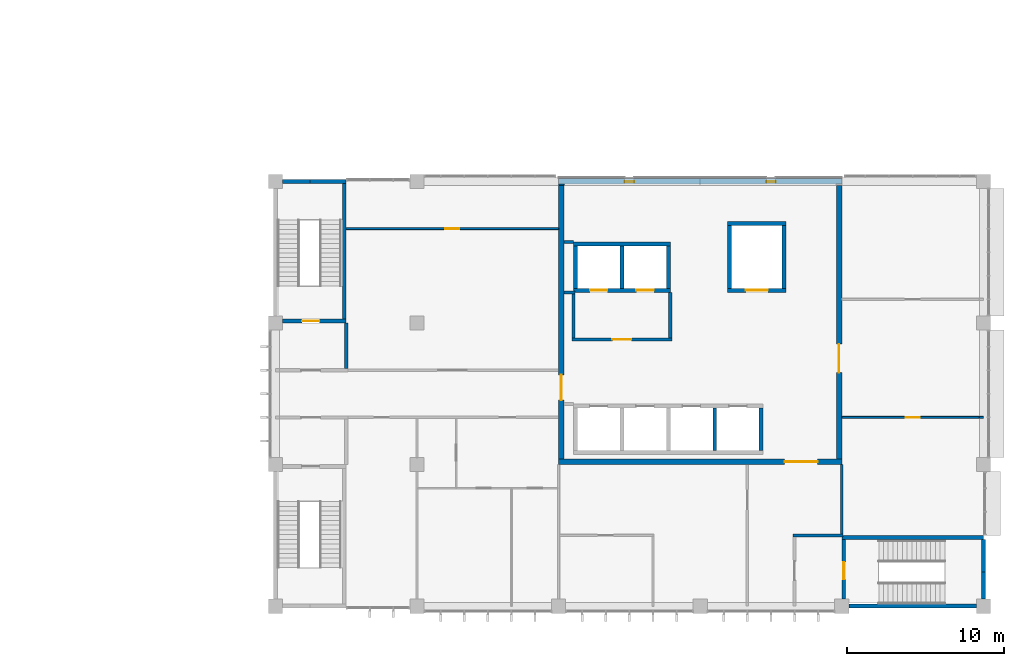
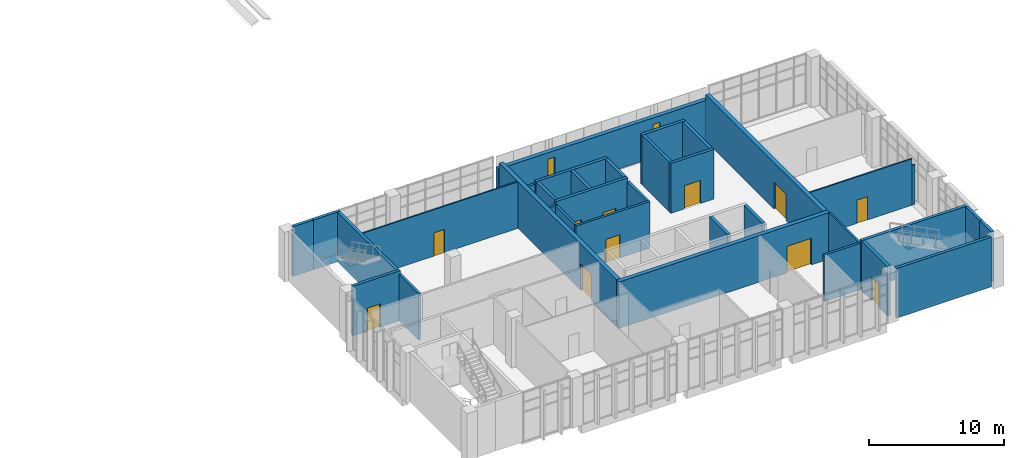
# One storey, part 59 of 79: 36 walls, 11 doors, 2 windows, 13 openings.
"""IFC4 building model written with IfcOpenShell, lengths in metres."""

from ifc_helpers import new_model, si_unit, direction, frame, frame_2d, origin, place, context, subcontext, project, spatial, rectangle, extrude, material, layer, layer_set, type_object, element, fill, save


model = new_model("IFC4")

# Units and contexts
model_context = context("Model", 3, precision=1e-05, world=origin(), true_north=direction((0.0, 1.0)))
body_context = subcontext(model_context, "Body", "Model", "MODEL_VIEW")
ifc_project = project(units=[si_unit("LENGTHUNIT", "METRE"), si_unit("AREAUNIT", "SQUARE_METRE"), si_unit("VOLUMEUNIT", "CUBIC_METRE"), si_unit("PLANEANGLEUNIT", "RADIAN"), si_unit("MASSUNIT", "GRAM", prefix="KILO")], contexts=[model_context])

# Site, building, storey
site_placement = place(None, origin())
site = spatial("IfcSite", under=ifc_project, at=site_placement, CompositionType="ELEMENT")
building_placement = place(site_placement, origin())
building = spatial("IfcBuilding", under=site, at=building_placement, Name="Guidao Yard Department Store", CompositionType="ELEMENT")
storey_placement = place(building_placement, frame((0.0, 0.0, 15.0)))
storey = spatial("IfcBuildingStorey", under=building, at=storey_placement, Name="L03", CompositionType="ELEMENT", Elevation=15.0)

# Wall
ifc_material_1 = material(Name="Gypsum Board")
ifc_layer_1 = layer(ifc_material_1, 0.14990234375)
ifc_layer_set_1 = layer_set([ifc_layer_1], Name="Corridor Partition 150 Gypsum Board EI 60")
wall_type_1 = type_object("IfcWallType", Name="Corridor Partition 150 Gypsum Board EI 60", PredefinedType="PARTITIONING", material=ifc_layer_set_1)
wall_1_placement = place(storey_placement, frame((162.0, 4.60009765625, 0.0), z_axis=(0.0, 0.0, 1.0), x_axis=(0.0, 1.0, 0.0)))
element("IfcWall", 1, at=wall_1_placement, inside=storey, type_object=wall_type_1, Name="pt.wall.L03.0030", PredefinedType="PARTITIONING", context=body_context, shape_type="SweptSolid", body=[
    extrude(rectangle(XDim=4.39990234375, YDim=0.14990234375, at=frame_2d((2.199951171875, 0.0))), origin(), (0.0, 0.0, 1.0), 4.199951171875),
])

# Wall, openings, windows
ifc_material_2 = material(Name="Concrete C40", Category="concrete")
ifc_layer_2 = layer(ifc_material_2, 0.35009765625)
ifc_layer_set_2 = layer_set([ifc_layer_2], Name="Office core face wall 350 C40")
wall_type_2 = type_object("IfcWallType", Name="Office core face wall 350 C40", PredefinedType="SOLIDWALL", material=ifc_layer_set_2)
wall_2_placement = place(storey_placement, frame((144.0, 27.0, 0.0), z_axis=(0.0, 0.0, 1.0), x_axis=(1.0, 0.0, 0.0)))
wall_2 = element("IfcWall", 2, at=wall_2_placement, inside=storey, type_object=wall_type_2, Name="Office north face wall", PredefinedType="SOLIDWALL", context=body_context, shape_type="SweptSolid", body=[
    extrude(rectangle(XDim=18.0, YDim=0.35009765625, at=frame_2d((9.0, 0.0))), origin(), (0.0, 0.0, 1.0), 3.60009765625),
])
opening_1_placement = place(wall_2_placement, frame((4.199951171875, 0.0, 0.60009765625)))
opening_1 = element("IfcOpeningElement", 3, at=opening_1_placement, cuts=wall_2, Name="Opening WN-L03-E27", PredefinedType="OPENING", context=body_context, shape_type="SweptSolid", body=[
    extrude(rectangle(XDim=0.60009765625, YDim=2.39990234375, at=frame_2d((0.300048828125, 1.199951171875))), frame((0.0, 0.18505859375, 0.0), z_axis=(0.0, -1.0, 0.0), x_axis=(1.0, 0.0, 0.0)), (0.0, 0.0, 1.0), 0.3701171875),
])
opening_2_placement = place(wall_2_placement, frame((13.199951171875, 0.0, 0.60009765625)))
opening_2 = element("IfcOpeningElement", 4, at=opening_2_placement, cuts=wall_2, Name="Opening WN-L03-E28", PredefinedType="OPENING", context=body_context, shape_type="SweptSolid", body=[
    extrude(rectangle(XDim=0.60009765625, YDim=2.39990234375, at=frame_2d((0.300048828125, 1.199951171875))), frame((0.0, 0.18505859375, 0.0), z_axis=(0.0, -1.0, 0.0), x_axis=(1.0, 0.0, 0.0)), (0.0, 0.0, 1.0), 0.3701171875),
])
ifc_material_3 = material(Name="Laminated glass in aluminium frame", Category="aluminium")
window_type = type_object("IfcWindowType", Name="Lobby window LW1 600 x 2400 fixed", PartitioningType="SINGLE_PANEL", PredefinedType="WINDOW", material=ifc_material_3)
window_1_placement = place(opening_1_placement, origin())
window_1 = element("IfcWindow", 5, at=window_1_placement, inside=storey, type_object=window_type, Name="Lift lobby window", OverallHeight=2.39990234375, OverallWidth=0.60009765625, PartitioningType="SINGLE_PANEL", PredefinedType="WINDOW", context=body_context, shape_type="SweptSolid", body=[
    extrude(rectangle(XDim=0.60009765625, YDim=2.39990234375, at=frame_2d((0.300048828125, 1.199951171875))), frame((0.0, -0.0048828125, 0.0), z_axis=(0.0, -1.0, 0.0), x_axis=(1.0, 0.0, 0.0)), (0.0, 0.0, 1.0), 0.06005859375),
])
fill(opening_1, window_1)
window_2_placement = place(opening_2_placement, origin())
window_2 = element("IfcWindow", 6, at=window_2_placement, inside=storey, type_object=window_type, Name="Lift lobby window", OverallHeight=2.39990234375, OverallWidth=0.60009765625, PartitioningType="SINGLE_PANEL", PredefinedType="WINDOW", context=body_context, shape_type="SweptSolid", body=[
    extrude(rectangle(XDim=0.60009765625, YDim=2.39990234375, at=frame_2d((0.300048828125, 1.199951171875))), frame((0.0, -0.0048828125, 0.0), z_axis=(0.0, -1.0, 0.0), x_axis=(1.0, 0.0, 0.0)), (0.0, 0.0, 1.0), 0.06005859375),
])
fill(opening_2, window_2)

# Wall, opening, door
ifc_material_4 = material(Name="Gypsum Board")
ifc_layer_3 = layer(ifc_material_4, 0.1201171875)
ifc_layer_set_3 = layer_set([ifc_layer_3], Name="Partition 120 Gypsum Board EI 45")
wall_type_3 = type_object("IfcWallType", Name="Partition 120 Gypsum Board EI 45", PredefinedType="PARTITIONING", material=ifc_layer_set_3)
wall_3_placement = place(storey_placement, frame((162.0, 12.0, 0.0), z_axis=(0.0, 0.0, 1.0), x_axis=(1.0, 0.0, 0.0)))
wall_3 = element("IfcWall", 7, at=wall_3_placement, inside=storey, type_object=wall_type_3, Name="pt.wall.L03.0007", PredefinedType="PARTITIONING", context=body_context, shape_type="SweptSolid", body=[
    extrude(rectangle(XDim=8.75, YDim=0.1201171875, at=frame_2d((4.375, 0.0))), origin(), (0.0, 0.0, 1.0), 4.199951171875),
])
opening_3_placement = place(wall_3_placement, frame((4.050048828125, 0.0, 0.0)))
opening_3 = element("IfcOpeningElement", 8, at=opening_3_placement, cuts=wall_3, Name="Opening L03-416", PredefinedType="OPENING", context=body_context, shape_type="SweptSolid", body=[
    extrude(rectangle(XDim=0.89990234375, YDim=2.10009765625, at=frame_2d((0.449951171875, 1.050048828125))), frame((0.0, 0.070068359375, 0.0), z_axis=(0.0, -1.0, 0.0), x_axis=(1.0, 0.0, 0.0)), (0.0, 0.0, 1.0), 0.14013671875),
])
ifc_material_5 = material(Name="Timber door leaf with Steel Q235 frame", Category="steel")
door_type_1 = type_object("IfcDoorType", Name="Door 900 x 2100 NOT RATED Single Leaf", OperationType="SINGLE_SWING_LEFT", PredefinedType="DOOR", material=ifc_material_5)
door_1_placement = place(opening_3_placement, origin())
door_1 = element("IfcDoor", 9, at=door_1_placement, inside=storey, type_object=door_type_1, Name="Door L03-416", OperationType="SINGLE_SWING_RIGHT", OverallHeight=2.10009765625, OverallWidth=0.89990234375, PredefinedType="DOOR", context=body_context, shape_type="SweptSolid", body=[
    extrude(rectangle(XDim=0.89990234375, YDim=2.10009765625, at=frame_2d((0.449951171875, 1.050048828125))), frame((0.0, 0.02490234375, 0.0), z_axis=(0.0, -1.0, 0.0), x_axis=(1.0, 0.0, 0.0)), (0.0, 0.0, 1.0), 0.050048828125),
])
fill(opening_3, door_1)

# Wall
wall_4_placement = place(storey_placement, frame((170.75, 12.0, 0.0), z_axis=(0.0, 0.0, 1.0), x_axis=(1.0, 0.0, 0.0)))
element("IfcWall", 10, at=wall_4_placement, inside=storey, type_object=wall_type_3, Name="pt.wall.L03.0007a", PredefinedType="PARTITIONING", context=body_context, shape_type="SweptSolid", body=[
    extrude(rectangle(XDim=0.25, YDim=0.1201171875, at=frame_2d((0.125, 0.0))), origin(), (0.0, 0.0, 1.0), 3.60009765625),
])

# Wall, opening, door
wall_5_placement = place(storey_placement, frame((130.5, 24.0, 0.0), z_axis=(0.0, 0.0, 1.0), x_axis=(1.0, 0.0, 0.0)))
wall_5 = element("IfcWall", 11, at=wall_5_placement, inside=storey, type_object=wall_type_3, Name="pt.wall.L03.0015", PredefinedType="PARTITIONING", context=body_context, shape_type="SweptSolid", body=[
    extrude(rectangle(XDim=13.5, YDim=0.1201171875, at=frame_2d((6.75, 0.0))), origin(), (0.0, 0.0, 1.0), 4.199951171875),
])
opening_4_placement = place(wall_5_placement, frame((6.300048828125, 0.0, 0.0)))
opening_4 = element("IfcOpeningElement", 12, at=opening_4_placement, cuts=wall_5, Name="Opening L03-413", PredefinedType="OPENING", context=body_context, shape_type="SweptSolid", body=[
    extrude(rectangle(XDim=0.89990234375, YDim=2.10009765625, at=frame_2d((0.449951171875, 1.050048828125))), frame((0.0, 0.070068359375, 0.0), z_axis=(0.0, -1.0, 0.0), x_axis=(1.0, 0.0, 0.0)), (0.0, 0.0, 1.0), 0.14013671875),
])
door_2_placement = place(opening_4_placement, origin())
door_2 = element("IfcDoor", 13, at=door_2_placement, inside=storey, type_object=door_type_1, Name="Door L03-413", OperationType="SINGLE_SWING_LEFT", OverallHeight=2.10009765625, OverallWidth=0.89990234375, PredefinedType="DOOR", context=body_context, shape_type="SweptSolid", body=[
    extrude(rectangle(XDim=0.89990234375, YDim=2.10009765625, at=frame_2d((0.449951171875, 1.050048828125))), frame((0.0, 0.02490234375, 0.0), z_axis=(0.0, -1.0, 0.0), x_axis=(1.0, 0.0, 0.0)), (0.0, 0.0, 1.0), 0.050048828125),
])
fill(opening_4, door_2)

# Wall
ifc_material_6 = material(Name="Autoclaved aerated concrete block A3.5 B06", Category="concrete")
ifc_layer_4 = layer(ifc_material_6, 0.199951171875)
ifc_layer_set_4 = layer_set([ifc_layer_4], Name="Shaft Wall 200 Autoclaved Block EI 120")
wall_type_4 = type_object("IfcWallType", Name="Shaft Wall 200 Autoclaved Block EI 120", PredefinedType="PARTITIONING", material=ifc_layer_set_4)
wall_6_placement = place(storey_placement, frame((158.89990234375, 4.5, 0.0), z_axis=(0.0, 0.0, 1.0), x_axis=(1.0, 0.0, 0.0)))
element("IfcWall", 14, at=wall_6_placement, inside=storey, type_object=wall_type_4, Name="pt.wall.L03.0002", PredefinedType="PARTITIONING", context=body_context, shape_type="SweptSolid", body=[
    extrude(rectangle(XDim=3.175048828125, YDim=0.199951171875, at=frame_2d((1.58740234375, 0.0))), origin(), (0.0, 0.0, 1.0), 4.199951171875),
])

# Wall, opening, door
wall_7_placement = place(storey_placement, frame((144.85009765625, 16.949951171875, 0.0), z_axis=(0.0, 0.0, 1.0), x_axis=(1.0, 0.0, 0.0)))
wall_7 = element("IfcWall", 15, at=wall_7_placement, inside=storey, type_object=wall_type_4, Name="pt.wall.L03.0011", PredefinedType="PARTITIONING", context=body_context, shape_type="SweptSolid", body=[
    extrude(rectangle(XDim=6.349853515625, YDim=0.199951171875, at=frame_2d((3.1748046875, 0.0))), origin(), (0.0, 0.0, 1.0), 4.199951171875),
])
opening_5_placement = place(wall_7_placement, frame((2.574951171875, 0.0, 0.0)))
opening_5 = element("IfcOpeningElement", 16, at=opening_5_placement, cuts=wall_7, Name="Opening L03-400", PredefinedType="OPENING", context=body_context, shape_type="SweptSolid", body=[
    extrude(rectangle(XDim=1.199951171875, YDim=2.10009765625, at=frame_2d((0.60009765625, 1.050048828125))), frame((0.0, 0.10986328125, 0.0), z_axis=(0.0, -1.0, 0.0), x_axis=(1.0, 0.0, 0.0)), (0.0, 0.0, 1.0), 0.219970703125),
])
ifc_material_7 = material(Name="Timber door leaf with Steel Q235 frame", Category="steel")
door_type_2 = type_object("IfcDoorType", Name="Door 1200 x 2100 FD60 Single Leaf", OperationType="SINGLE_SWING_LEFT", PredefinedType="DOOR", material=ifc_material_7)
door_3_placement = place(opening_5_placement, origin())
door_3 = element("IfcDoor", 17, at=door_3_placement, inside=storey, type_object=door_type_2, Name="Door L03-400", OperationType="SINGLE_SWING_RIGHT", OverallHeight=2.10009765625, OverallWidth=1.199951171875, PredefinedType="DOOR", context=body_context, shape_type="SweptSolid", body=[
    extrude(rectangle(XDim=1.199951171875, YDim=2.10009765625, at=frame_2d((0.60009765625, 1.050048828125))), frame((0.0, 0.02490234375, 0.0), z_axis=(0.0, -1.0, 0.0), x_axis=(1.0, 0.0, 0.0)), (0.0, 0.0, 1.0), 0.050048828125),
])
fill(opening_5, door_3)

# Walls
wall_8_placement = place(storey_placement, frame((144.35009765625, 19.949951171875, 0.0), z_axis=(0.0, 0.0, 1.0), x_axis=(1.0, 0.0, 0.0)))
element("IfcWall", 18, at=wall_8_placement, inside=storey, type_object=wall_type_4, Name="pt.wall.L03.0013", PredefinedType="PARTITIONING", context=body_context, shape_type="SweptSolid", body=[
    extrude(rectangle(XDim=0.699951171875, YDim=0.199951171875, at=frame_2d((0.35009765625, 0.0))), origin(), (0.0, 0.0, 1.0), 4.199951171875),
])
wall_9_placement = place(storey_placement, frame((144.35009765625, 23.14990234375, 0.0), z_axis=(0.0, 0.0, 1.0), x_axis=(1.0, 0.0, 0.0)))
element("IfcWall", 19, at=wall_9_placement, inside=storey, type_object=wall_type_4, Name="pt.wall.L03.0014", PredefinedType="PARTITIONING", context=body_context, shape_type="SweptSolid", body=[
    extrude(rectangle(XDim=0.599853515625, YDim=0.199951171875, at=frame_2d((0.2998046875, 0.0))), origin(), (0.0, 0.0, 1.0), 4.199951171875),
])
wall_10_placement = place(storey_placement, frame((130.5, 15.10009765625, 0.0), z_axis=(0.0, 0.0, 1.0), x_axis=(0.0, 1.0, 0.0)))
element("IfcWall", 20, at=wall_10_placement, inside=storey, type_object=wall_type_4, Name="pt.wall.L03.0017", PredefinedType="PARTITIONING", context=body_context, shape_type="SweptSolid", body=[
    extrude(rectangle(XDim=2.89990234375, YDim=0.199951171875, at=frame_2d((1.449951171875, 0.0))), origin(), (0.0, 0.0, 1.0), 4.199951171875),
])
wall_11_placement = place(storey_placement, frame((144.949951171875, 17.050048828125, 0.0), z_axis=(0.0, 0.0, 1.0), x_axis=(0.0, 1.0, 0.0)))
element("IfcWall", 21, at=wall_11_placement, inside=storey, type_object=wall_type_4, Name="pt.wall.L03.0024", PredefinedType="PARTITIONING", context=body_context, shape_type="SweptSolid", body=[
    extrude(rectangle(XDim=2.800048828125, YDim=0.199951171875, at=frame_2d((1.39990234375, 0.0))), origin(), (0.0, 0.0, 1.0), 4.199951171875),
])
wall_12_placement = place(storey_placement, frame((151.10009765625, 17.050048828125, 0.0), z_axis=(0.0, 0.0, 1.0), x_axis=(0.0, 1.0, 0.0)))
element("IfcWall", 22, at=wall_12_placement, inside=storey, type_object=wall_type_4, Name="pt.wall.L03.0026", PredefinedType="PARTITIONING", context=body_context, shape_type="SweptSolid", body=[
    extrude(rectangle(XDim=2.89990234375, YDim=0.199951171875, at=frame_2d((1.449951171875, 0.0))), origin(), (0.0, 0.0, 1.0), 4.199951171875),
])

# Wall, opening, door
ifc_material_8 = material(Name="Concrete C50", Category="concrete")
ifc_layer_5 = layer(ifc_material_8, 0.35009765625)
ifc_layer_set_5 = layer_set([ifc_layer_5], Name="Shear Wall 350 Concrete C50")
wall_type_5 = type_object("IfcWallType", Name="Shear Wall 350 Concrete C50", PredefinedType="SHEAR", material=ifc_layer_set_5)
wall_13_placement = place(storey_placement, frame((144.0, 9.175048828125, 0.0), z_axis=(0.0, 0.0, 1.0), x_axis=(1.0, 0.0, 0.0)))
wall_13 = element("IfcWall", 23, at=wall_13_placement, inside=storey, type_object=wall_type_5, Name="pt.wall.L03.0004", PredefinedType="SHEAR", context=body_context, shape_type="SweptSolid", body=[
    extrude(rectangle(XDim=18.0, YDim=0.35009765625, at=frame_2d((9.0, 0.0))), origin(), (0.0, 0.0, 1.0), 4.199951171875),
])
opening_6_placement = place(wall_13_placement, frame((16.462646484375, 0.0, 0.0), z_axis=(0.0, 0.0, 1.0), x_axis=(-1.0, 0.0, 0.0)))
opening_6 = element("IfcOpeningElement", 24, at=opening_6_placement, cuts=wall_13, Name="Opening L03-406", PredefinedType="OPENING", context=body_context, shape_type="SweptSolid", body=[
    extrude(rectangle(XDim=2.10009765625, YDim=2.39990234375, at=frame_2d((1.050048828125, 1.199951171875))), frame((0.0, 0.18505859375, 0.0), z_axis=(0.0, -1.0, 0.0), x_axis=(1.0, 0.0, 0.0)), (0.0, 0.0, 1.0), 0.3701171875),
])
ifc_material_9 = material(Name="Timber door leaf with Steel Q235 frame", Category="steel")
door_type_3 = type_object("IfcDoorType", Name="Door 2100 x 2400 FD60 Double Leaf", OperationType="DOUBLE_DOOR_SINGLE_SWING", PredefinedType="DOOR", material=ifc_material_9)
door_4_placement = place(opening_6_placement, origin())
door_4 = element("IfcDoor", 25, at=door_4_placement, inside=storey, type_object=door_type_3, Name="Door L03-406", OperationType="DOUBLE_DOOR_SINGLE_SWING", OverallHeight=2.39990234375, OverallWidth=2.10009765625, PredefinedType="DOOR", context=body_context, shape_type="SweptSolid", body=[
    extrude(rectangle(XDim=2.10009765625, YDim=2.39990234375, at=frame_2d((1.050048828125, 1.199951171875))), frame((0.0, 0.02490234375, 0.0), z_axis=(0.0, -1.0, 0.0), x_axis=(1.0, 0.0, 0.0)), (0.0, 0.0, 1.0), 0.050048828125),
])
fill(opening_6, door_4)

wall_14_placement = place(storey_placement, frame((144.175048828125, 9.35009765625, 0.0), z_axis=(0.0, 0.0, 1.0), x_axis=(0.0, 1.0, 0.0)))
wall_14 = element("IfcWall", 26, at=wall_14_placement, inside=storey, type_object=wall_type_5, Name="pt.wall.L03.0023", PredefinedType="SHEAR", context=body_context, shape_type="SweptSolid", body=[
    extrude(rectangle(XDim=17.39990234375, YDim=0.35009765625, at=frame_2d((8.699951171875, 0.0))), origin(), (0.0, 0.0, 1.0), 4.199951171875),
])
opening_7_placement = place(wall_14_placement, frame((3.75, 0.0, 0.0)))
opening_7 = element("IfcOpeningElement", 27, at=opening_7_placement, cuts=wall_14, Name="Opening L03-404", PredefinedType="OPENING", context=body_context, shape_type="SweptSolid", body=[
    extrude(rectangle(XDim=1.60009765625, YDim=2.39990234375, at=frame_2d((0.800048828125, 1.199951171875))), frame((0.0, 0.18505859375, 0.0), z_axis=(0.0, -1.0, 0.0), x_axis=(1.0, 0.0, 0.0)), (0.0, 0.0, 1.0), 0.3701171875),
])
ifc_material_10 = material(Name="Timber door leaf with Steel Q235 frame", Category="steel")
door_type_4 = type_object("IfcDoorType", Name="Door 1600 x 2400 FD60 Double Leaf", OperationType="DOUBLE_DOOR_SINGLE_SWING", PredefinedType="DOOR", material=ifc_material_10)
door_5_placement = place(opening_7_placement, origin())
door_5 = element("IfcDoor", 28, at=door_5_placement, inside=storey, type_object=door_type_4, Name="Door L03-404", OperationType="DOUBLE_DOOR_SINGLE_SWING", OverallHeight=2.39990234375, OverallWidth=1.60009765625, PredefinedType="DOOR", context=body_context, shape_type="SweptSolid", body=[
    extrude(rectangle(XDim=1.60009765625, YDim=2.39990234375, at=frame_2d((0.800048828125, 1.199951171875))), frame((0.0, 0.02490234375, 0.0), z_axis=(0.0, -1.0, 0.0), x_axis=(1.0, 0.0, 0.0)), (0.0, 0.0, 1.0), 0.050048828125),
])
fill(opening_7, door_5)

# Wall
wall_15_placement = place(storey_placement, frame((144.175048828125, 26.75, 0.0), z_axis=(0.0, 0.0, 1.0), x_axis=(0.0, 1.0, 0.0)))
element("IfcWall", 29, at=wall_15_placement, inside=storey, type_object=wall_type_5, Name="pt.wall.L03.0023a", PredefinedType="SHEAR", context=body_context, shape_type="SweptSolid", body=[
    extrude(rectangle(XDim=0.074951171875, YDim=0.35009765625, at=frame_2d((0.03759765625, 0.0))), origin(), (0.0, 0.0, 1.0), 3.60009765625),
])

# Wall, opening, door
wall_16_placement = place(storey_placement, frame((161.824951171875, 9.35009765625, 0.0), z_axis=(0.0, 0.0, 1.0), x_axis=(0.0, 1.0, 0.0)))
wall_16 = element("IfcWall", 30, at=wall_16_placement, inside=storey, type_object=wall_type_5, Name="pt.wall.L03.0029", PredefinedType="SHEAR", context=body_context, shape_type="SweptSolid", body=[
    extrude(rectangle(XDim=17.39990234375, YDim=0.35009765625, at=frame_2d((8.699951171875, 0.0))), origin(), (0.0, 0.0, 1.0), 4.199951171875),
])
opening_8_placement = place(wall_16_placement, frame((7.300048828125, 0.0, 0.0), z_axis=(0.0, 0.0, 1.0), x_axis=(-1.0, 0.0, 0.0)))
opening_8 = element("IfcOpeningElement", 31, at=opening_8_placement, cuts=wall_16, Name="Opening L03-405", PredefinedType="OPENING", context=body_context, shape_type="SweptSolid", body=[
    extrude(rectangle(XDim=1.800048828125, YDim=2.39990234375, at=frame_2d((0.89990234375, 1.199951171875))), frame((0.0, 0.18505859375, 0.0), z_axis=(0.0, -1.0, 0.0), x_axis=(1.0, 0.0, 0.0)), (0.0, 0.0, 1.0), 0.3701171875),
])
ifc_material_11 = material(Name="Timber door leaf with Steel Q235 frame", Category="steel")
door_type_5 = type_object("IfcDoorType", Name="Door 1800 x 2400 FD60 Double Leaf", OperationType="DOUBLE_DOOR_SINGLE_SWING", PredefinedType="DOOR", material=ifc_material_11)
door_6_placement = place(opening_8_placement, origin())
door_6 = element("IfcDoor", 32, at=door_6_placement, inside=storey, type_object=door_type_5, Name="Door L03-405", OperationType="DOUBLE_DOOR_SINGLE_SWING", OverallHeight=2.39990234375, OverallWidth=1.800048828125, PredefinedType="DOOR", context=body_context, shape_type="SweptSolid", body=[
    extrude(rectangle(XDim=1.800048828125, YDim=2.39990234375, at=frame_2d((0.89990234375, 1.199951171875))), frame((0.0, 0.02490234375, 0.0), z_axis=(0.0, -1.0, 0.0), x_axis=(1.0, 0.0, 0.0)), (0.0, 0.0, 1.0), 0.050048828125),
])
fill(opening_8, door_6)

# Walls
ifc_material_12 = material(Name="Concrete C40", Category="concrete")
ifc_layer_6 = layer(ifc_material_12, 0.25)
ifc_layer_set_6 = layer_set([ifc_layer_6], Name="Wall RC 250 C40 stair and shaft")
wall_type_6 = type_object("IfcWallType", Name="Wall RC 250 C40 stair and shaft", PredefinedType="SHEAR", material=ifc_layer_set_6)
wall_17_placement = place(storey_placement, frame((162.449951171875, 0.0, 0.0), z_axis=(0.0, 0.0, 1.0), x_axis=(1.0, 0.0, 0.0)))
element("IfcWall", 33, at=wall_17_placement, inside=storey, type_object=wall_type_6, Name="Stair wall SO2", PredefinedType="SHEAR", context=body_context, shape_type="SweptSolid", body=[
    extrude(rectangle(XDim=8.10009765625, YDim=0.25, at=frame_2d((4.050048828125, 0.0))), origin(), (0.0, 0.0, 1.0), 4.5),
])
wall_18_placement = place(storey_placement, frame((162.0, 4.375, 0.0), z_axis=(0.0, 0.0, 1.0), x_axis=(1.0, 0.0, 0.0)))
element("IfcWall", 34, at=wall_18_placement, inside=storey, type_object=wall_type_6, Name="Stair wall SO2", PredefinedType="SHEAR", context=body_context, shape_type="SweptSolid", body=[
    extrude(rectangle(XDim=9.0, YDim=0.25, at=frame_2d((4.5, 0.0))), origin(), (0.0, 0.0, 1.0), 4.5),
])

# Wall, opening, door
wall_19_placement = place(storey_placement, frame((162.125, 0.449951171875, 0.0), z_axis=(0.0, 0.0, 1.0), x_axis=(0.0, 1.0, 0.0)))
wall_19 = element("IfcWall", 35, at=wall_19_placement, inside=storey, type_object=wall_type_6, Name="Stair wall SO2", PredefinedType="SHEAR", context=body_context, shape_type="SweptSolid", body=[
    extrude(rectangle(XDim=3.800048828125, YDim=0.25, at=frame_2d((1.89990234375, 0.0))), origin(), (0.0, 0.0, 1.0), 4.5),
])
opening_9_placement = place(wall_19_placement, frame((2.35009765625, 0.0, 0.0), z_axis=(0.0, 0.0, 1.0), x_axis=(-1.0, 0.0, 0.0)))
opening_9 = element("IfcOpeningElement", 36, at=opening_9_placement, cuts=wall_19, Name="Opening L03-813", PredefinedType="OPENING", context=body_context, shape_type="SweptSolid", body=[
    extrude(rectangle(XDim=1.10009765625, YDim=2.10009765625, at=frame_2d((0.550048828125, 1.050048828125))), frame((0.0, 0.135009765625, 0.0), z_axis=(0.0, -1.0, 0.0), x_axis=(1.0, 0.0, 0.0)), (0.0, 0.0, 1.0), 0.27001953125),
])
ifc_material_13 = material(Name="Steel Q235", Category="steel")
door_type_6 = type_object("IfcDoorType", Name="Door fire-resisting 1100 x 2100 FD60", OperationType="SINGLE_SWING_LEFT", PredefinedType="DOOR", material=ifc_material_13)
door_7_placement = place(opening_9_placement, origin())
door_7 = element("IfcDoor", 37, at=door_7_placement, inside=storey, type_object=door_type_6, Name="Stair O2 door L03", OperationType="SINGLE_SWING_RIGHT", OverallHeight=2.10009765625, OverallWidth=1.10009765625, PredefinedType="DOOR", context=body_context, shape_type="SweptSolid", body=[
    extrude(rectangle(XDim=1.10009765625, YDim=2.10009765625, at=frame_2d((0.550048828125, 1.050048828125))), frame((0.0, 0.02490234375, 0.0), z_axis=(0.0, -1.0, 0.0), x_axis=(1.0, 0.0, 0.0)), (0.0, 0.0, 1.0), 0.050048828125),
])
fill(opening_9, door_7)

# Walls
wall_20_placement = place(storey_placement, frame((171.0, 0.449951171875, 0.0), z_axis=(0.0, 0.0, 1.0), x_axis=(0.0, 1.0, 0.0)))
element("IfcWall", 38, at=wall_20_placement, inside=storey, type_object=wall_type_6, Name="Stair wall SO2", PredefinedType="SHEAR", context=body_context, shape_type="SweptSolid", body=[
    extrude(rectangle(XDim=1.738037109375, YDim=0.25, at=frame_2d((0.869140625, 0.0))), origin(), (0.0, 0.0, 1.0), 4.5),
])
wall_21_placement = place(storey_placement, frame((171.0, 2.18798828125, 0.0), z_axis=(0.0, 0.0, 1.0), x_axis=(0.0, 1.0, 0.0)))
element("IfcWall", 39, at=wall_21_placement, inside=storey, type_object=wall_type_6, Name="Stair wall SO2", PredefinedType="SHEAR", context=body_context, shape_type="SweptSolid", body=[
    extrude(rectangle(XDim=2.06201171875, YDim=0.25, at=frame_2d((1.031005859375, 0.0))), origin(), (0.0, 0.0, 1.0), 4.5),
])

# Wall, opening, door
wall_22_placement = place(storey_placement, frame((126.449951171875, 18.125, 0.0), z_axis=(0.0, 0.0, 1.0), x_axis=(1.0, 0.0, 0.0)))
wall_22 = element("IfcWall", 40, at=wall_22_placement, inside=storey, type_object=wall_type_6, Name="Stair wall SO3", PredefinedType="SHEAR", context=body_context, shape_type="SweptSolid", body=[
    extrude(rectangle(XDim=4.050048828125, YDim=0.25, at=frame_2d((2.02490234375, 0.0))), origin(), (0.0, 0.0, 1.0), 4.5),
])
opening_10_placement = place(wall_22_placement, frame((1.25, 0.0, 0.0)))
opening_10 = element("IfcOpeningElement", 41, at=opening_10_placement, cuts=wall_22, Name="Opening L03-814", PredefinedType="OPENING", context=body_context, shape_type="SweptSolid", body=[
    extrude(rectangle(XDim=1.10009765625, YDim=2.10009765625, at=frame_2d((0.550048828125, 1.050048828125))), frame((0.0, 0.135009765625, 0.0), z_axis=(0.0, -1.0, 0.0), x_axis=(1.0, 0.0, 0.0)), (0.0, 0.0, 1.0), 0.27001953125),
])
door_8_placement = place(opening_10_placement, origin())
door_8 = element("IfcDoor", 42, at=door_8_placement, inside=storey, type_object=door_type_6, Name="Stair O3 door L03", OperationType="SINGLE_SWING_LEFT", OverallHeight=2.10009765625, OverallWidth=1.10009765625, PredefinedType="DOOR", context=body_context, shape_type="SweptSolid", body=[
    extrude(rectangle(XDim=1.10009765625, YDim=2.10009765625, at=frame_2d((0.550048828125, 1.050048828125))), frame((0.0, 0.02490234375, 0.0), z_axis=(0.0, -1.0, 0.0), x_axis=(1.0, 0.0, 0.0)), (0.0, 0.0, 1.0), 0.050048828125),
])
fill(opening_10, door_8)

# Walls
wall_23_placement = place(storey_placement, frame((126.449951171875, 27.0, 0.0), z_axis=(0.0, 0.0, 1.0), x_axis=(1.0, 0.0, 0.0)))
element("IfcWall", 43, at=wall_23_placement, inside=storey, type_object=wall_type_6, Name="Stair wall SO3", PredefinedType="SHEAR", context=body_context, shape_type="SweptSolid", body=[
    extrude(rectangle(XDim=1.738037109375, YDim=0.25, at=frame_2d((0.869140625, 0.0))), origin(), (0.0, 0.0, 1.0), 4.5),
])
wall_24_placement = place(storey_placement, frame((128.18798828125, 27.0, 0.0), z_axis=(0.0, 0.0, 1.0), x_axis=(1.0, 0.0, 0.0)))
element("IfcWall", 44, at=wall_24_placement, inside=storey, type_object=wall_type_6, Name="Stair wall SO3", PredefinedType="SHEAR", context=body_context, shape_type="SweptSolid", body=[
    extrude(rectangle(XDim=2.31201171875, YDim=0.25, at=frame_2d((1.156005859375, 0.0))), origin(), (0.0, 0.0, 1.0), 4.5),
])
wall_25_placement = place(storey_placement, frame((130.375, 18.25, 0.0), z_axis=(0.0, 0.0, 1.0), x_axis=(0.0, 1.0, 0.0)))
element("IfcWall", 45, at=wall_25_placement, inside=storey, type_object=wall_type_6, Name="Stair wall SO3", PredefinedType="SHEAR", context=body_context, shape_type="SweptSolid", body=[
    extrude(rectangle(XDim=8.625, YDim=0.25, at=frame_2d((4.3125, 0.0))), origin(), (0.0, 0.0, 1.0), 4.5),
])
for number, where, z_axis, x_axis, name in (
    (46, (153.925048828125, 9.89990234375, 0.0), (0.0, 0.0, 1.0), (0.0, 1.0, 0.0), "Lift shaft wall OL1 to OL4"),
    (47, (156.875, 9.89990234375, 0.0), (0.0, 0.0, 1.0), (0.0, 1.0, 0.0), "Lift shaft wall OL1 to OL4"),
):
    element("IfcWall", number, at=place(storey_placement, frame(where, z_axis=z_axis, x_axis=x_axis)), inside=storey, type_object=wall_type_6, Name=name, PredefinedType="SHEAR", context=body_context, shape_type="SweptSolid", body=[
        extrude(rectangle(XDim=2.7001953125, YDim=0.25, at=frame_2d((1.35009765625, 0.0))), origin(), (0.0, 0.0, 1.0), 4.5),
    ])

# Wall, openings, doors
wall_26_placement = place(storey_placement, frame((144.949951171875, 20.074951171875, 0.0), z_axis=(0.0, 0.0, 1.0), x_axis=(1.0, 0.0, 0.0)))
wall_26 = element("IfcWall", 48, at=wall_26_placement, inside=storey, type_object=wall_type_6, Name="Lift shaft wall OF1 to OF2", PredefinedType="SHEAR", context=body_context, shape_type="SweptSolid", body=[
    extrude(rectangle(XDim=6.150146484375, YDim=0.25, at=frame_2d((3.0751953125, 0.0))), origin(), (0.0, 0.0, 1.0), 4.5),
])
opening_11_placement = place(wall_26_placement, frame((1.050048828125, 0.0, 0.0)))
opening_11 = element("IfcOpeningElement", 49, at=opening_11_placement, cuts=wall_26, Name="Opening LD-OF1-L03", PredefinedType="OPENING", context=body_context, shape_type="SweptSolid", body=[
    extrude(rectangle(XDim=1.10009765625, YDim=2.10009765625, at=frame_2d((0.550048828125, 1.050048828125))), frame((0.0, 0.135009765625, 0.0), z_axis=(0.0, -1.0, 0.0), x_axis=(1.0, 0.0, 0.0)), (0.0, 0.0, 1.0), 0.27001953125),
])
opening_12_placement = place(wall_26_placement, frame((4.0, 0.0, 0.0)))
opening_12 = element("IfcOpeningElement", 50, at=opening_12_placement, cuts=wall_26, Name="Opening LD-OF2-L03", PredefinedType="OPENING", context=body_context, shape_type="SweptSolid", body=[
    extrude(rectangle(XDim=1.10009765625, YDim=2.10009765625, at=frame_2d((0.550048828125, 1.050048828125))), frame((0.0, 0.135009765625, 0.0), z_axis=(0.0, -1.0, 0.0), x_axis=(1.0, 0.0, 0.0)), (0.0, 0.0, 1.0), 0.27001953125),
])
ifc_material_14 = material(Name="Stainless steel 06Cr19Ni10", Category="steel")
door_type_7 = type_object("IfcDoorType", Name="Lift landing door fire-resisting sliding 1100 x 2100", OperationType="DOUBLE_DOOR_SLIDING", PredefinedType="DOOR", material=ifc_material_14)
door_9_placement = place(opening_11_placement, origin())
door_9 = element("IfcDoor", 51, at=door_9_placement, inside=storey, type_object=door_type_7, Name="Lift landing door OF1 L03", OperationType="DOUBLE_DOOR_SLIDING", OverallHeight=2.10009765625, OverallWidth=1.10009765625, PredefinedType="DOOR", context=body_context, shape_type="SweptSolid", body=[
    extrude(rectangle(XDim=1.10009765625, YDim=2.10009765625, at=frame_2d((0.550048828125, 1.050048828125))), frame((0.0, 0.02490234375, 0.0), z_axis=(0.0, -1.0, 0.0), x_axis=(1.0, 0.0, 0.0)), (0.0, 0.0, 1.0), 0.050048828125),
])
fill(opening_11, door_9)
door_10_placement = place(opening_12_placement, origin())
door_10 = element("IfcDoor", 52, at=door_10_placement, inside=storey, type_object=door_type_7, Name="Lift landing door OF2 L03", OperationType="DOUBLE_DOOR_SLIDING", OverallHeight=2.10009765625, OverallWidth=1.10009765625, PredefinedType="DOOR", context=body_context, shape_type="SweptSolid", body=[
    extrude(rectangle(XDim=1.10009765625, YDim=2.10009765625, at=frame_2d((0.550048828125, 1.050048828125))), frame((0.0, 0.02490234375, 0.0), z_axis=(0.0, -1.0, 0.0), x_axis=(1.0, 0.0, 0.0)), (0.0, 0.0, 1.0), 0.050048828125),
])
fill(opening_12, door_10)

# Walls
wall_27_placement = place(storey_placement, frame((144.949951171875, 23.02490234375, 0.0), z_axis=(0.0, 0.0, 1.0), x_axis=(1.0, 0.0, 0.0)))
element("IfcWall", 53, at=wall_27_placement, inside=storey, type_object=wall_type_6, Name="Lift shaft wall OF1 to OF2", PredefinedType="SHEAR", context=body_context, shape_type="SweptSolid", body=[
    extrude(rectangle(XDim=6.150146484375, YDim=0.25, at=frame_2d((3.0751953125, 0.0))), origin(), (0.0, 0.0, 1.0), 4.5),
])
for number, where, z_axis, x_axis, name in (
    (54, (145.074951171875, 20.199951171875, 0.0), (0.0, 0.0, 1.0), (0.0, 1.0, 0.0), "Lift shaft wall OF1 to OF2"),
    (55, (148.02490234375, 20.199951171875, 0.0), (0.0, 0.0, 1.0), (0.0, 1.0, 0.0), "Lift shaft wall OF1 to OF2"),
    (56, (150.97509765625, 20.199951171875, 0.0), (0.0, 0.0, 1.0), (0.0, 1.0, 0.0), "Lift shaft wall OF1 to OF2"),
):
    element("IfcWall", number, at=place(storey_placement, frame(where, z_axis=z_axis, x_axis=x_axis)), inside=storey, type_object=wall_type_6, Name=name, PredefinedType="SHEAR", context=body_context, shape_type="SweptSolid", body=[
        extrude(rectangle(XDim=2.699951171875, YDim=0.25, at=frame_2d((1.35009765625, 0.0))), origin(), (0.0, 0.0, 1.0), 4.5),
    ])

# Wall, opening, door
wall_28_placement = place(storey_placement, frame((154.75, 20.074951171875, 0.0), z_axis=(0.0, 0.0, 1.0), x_axis=(1.0, 0.0, 0.0)))
wall_28 = element("IfcWall", 57, at=wall_28_placement, inside=storey, type_object=wall_type_6, Name="Lift shaft wall OS1", PredefinedType="SHEAR", context=body_context, shape_type="SweptSolid", body=[
    extrude(rectangle(XDim=3.699951171875, YDim=0.25, at=frame_2d((1.85009765625, 0.0))), origin(), (0.0, 0.0, 1.0), 4.5),
])
opening_13_placement = place(wall_28_placement, frame((1.14990234375, 0.0, 0.0)))
opening_13 = element("IfcOpeningElement", 58, at=opening_13_placement, cuts=wall_28, Name="Opening LD-OS1-L03", PredefinedType="OPENING", context=body_context, shape_type="SweptSolid", body=[
    extrude(rectangle(XDim=1.39990234375, YDim=2.10009765625, at=frame_2d((0.699951171875, 1.050048828125))), frame((0.0, 0.135009765625, 0.0), z_axis=(0.0, -1.0, 0.0), x_axis=(1.0, 0.0, 0.0)), (0.0, 0.0, 1.0), 0.27001953125),
])
ifc_material_15 = material(Name="Stainless steel 06Cr19Ni10", Category="steel")
door_type_8 = type_object("IfcDoorType", Name="Lift landing door fire-resisting sliding 1400 x 2100", OperationType="DOUBLE_DOOR_SLIDING", PredefinedType="DOOR", material=ifc_material_15)
door_11_placement = place(opening_13_placement, origin())
door_11 = element("IfcDoor", 59, at=door_11_placement, inside=storey, type_object=door_type_8, Name="Lift landing door OS1 L03", OperationType="DOUBLE_DOOR_SLIDING", OverallHeight=2.10009765625, OverallWidth=1.39990234375, PredefinedType="DOOR", context=body_context, shape_type="SweptSolid", body=[
    extrude(rectangle(XDim=1.39990234375, YDim=2.10009765625, at=frame_2d((0.699951171875, 1.050048828125))), frame((0.0, 0.02490234375, 0.0), z_axis=(0.0, -1.0, 0.0), x_axis=(1.0, 0.0, 0.0)), (0.0, 0.0, 1.0), 0.050048828125),
])
fill(opening_13, door_11)

# Walls
wall_29_placement = place(storey_placement, frame((154.75, 24.324951171875, 0.0), z_axis=(0.0, 0.0, 1.0), x_axis=(1.0, 0.0, 0.0)))
element("IfcWall", 60, at=wall_29_placement, inside=storey, type_object=wall_type_6, Name="Lift shaft wall OS1", PredefinedType="SHEAR", context=body_context, shape_type="SweptSolid", body=[
    extrude(rectangle(XDim=3.699951171875, YDim=0.25, at=frame_2d((1.85009765625, 0.0))), origin(), (0.0, 0.0, 1.0), 4.5),
])
for number, where, z_axis, x_axis, name in (
    (61, (154.875, 20.199951171875, 0.0), (0.0, 0.0, 1.0), (0.0, 1.0, 0.0), "Lift shaft wall OS1"),
    (62, (158.324951171875, 20.199951171875, 0.0), (0.0, 0.0, 1.0), (0.0, 1.0, 0.0), "Lift shaft wall OS1"),
):
    element("IfcWall", number, at=place(storey_placement, frame(where, z_axis=z_axis, x_axis=x_axis)), inside=storey, type_object=wall_type_6, Name=name, PredefinedType="SHEAR", context=body_context, shape_type="SweptSolid", body=[
        extrude(rectangle(XDim=4.0, YDim=0.25, at=frame_2d((2.0, 0.0))), origin(), (0.0, 0.0, 1.0), 4.5),
    ])

save(model, "model.ifc")
